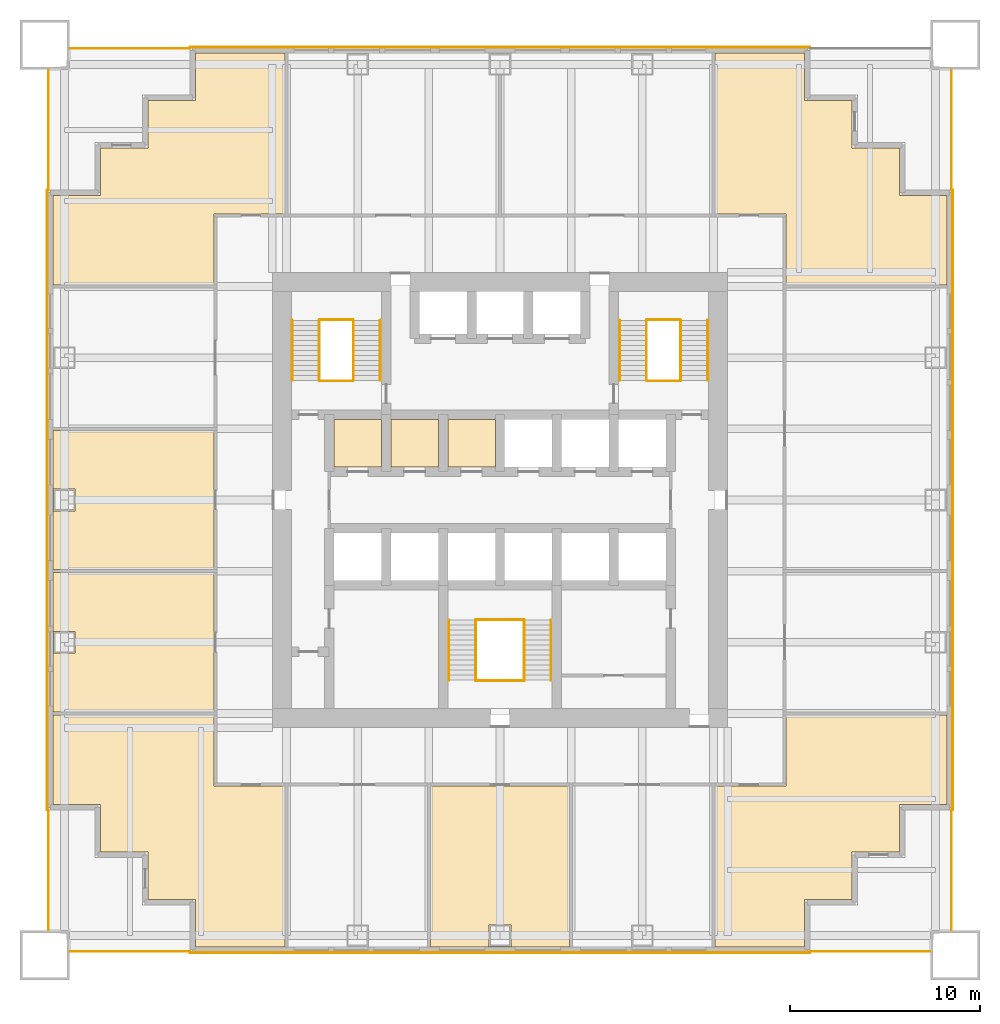
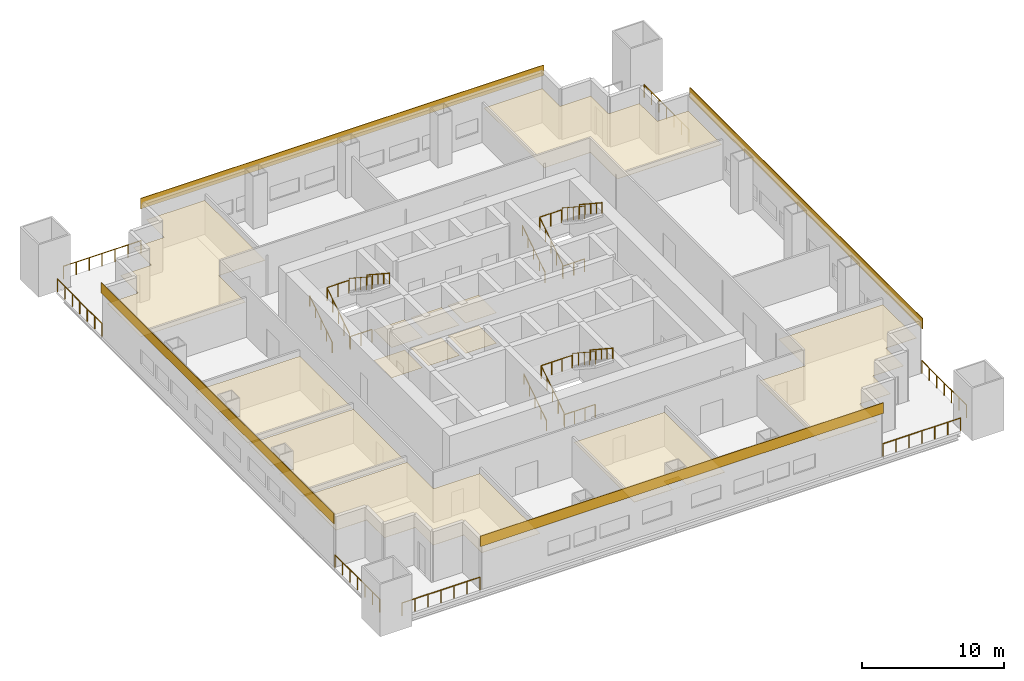
# One storey, part 6 of 7: 25 railings, 17 coverings.
"""IFC4 building model written with IfcOpenShell, lengths in metres."""

import ifcopenshell
import ifcopenshell.guid

model = None  # the IFC model being written
_history = None  # IfcOwnerHistory: only IFC2X3 demands one
_inside = {}  # id of a spatial element -> (the spatial element, [elements in it])
_under = {}  # id of a project, library or spatial element -> (it, [spatial elements below it])
_declared = {}  # id of a project -> (the project, [libraries it declares])
_typed = {}  # id of a type object -> (the type object, [elements of that type])
_made_of = {}  # id of a material, layer set ... -> (it, [elements and type objects made of it])


def new_model(schema):
    """Start an empty IFC model of exactly this schema.

    Asked for "IFC4X3", IfcOpenShell would pick the latest addendum, in which some entities
    have other attributes; the version numbers below select the first issue.
    IFC2X3 requires an IfcOwnerHistory on every rooted entity: one is made here for all.
    """
    global model, _history
    if schema == "IFC4X3":
        model = ifcopenshell.file(schema_version=(4, 3, 0, 0))
    else:
        model = ifcopenshell.file(schema=schema)
    _inside.clear()
    _under.clear()
    _declared.clear()
    _typed.clear()
    _made_of.clear()
    _history = None
    if model.schema == "IFC2X3":
        org = make("IfcOrganization", Name="unknown")
        user = make(
            "IfcPersonAndOrganization",
            ThePerson=make("IfcPerson", FamilyName="unknown"),
            TheOrganization=org,
        )
        app = make(
            "IfcApplication",
            ApplicationDeveloper=org,
            Version="unknown",
            ApplicationFullName="unknown",
            ApplicationIdentifier="unknown",
        )
        _history = make(
            "IfcOwnerHistory",
            OwningUser=user,
            OwningApplication=app,
            ChangeAction="ADDED",
            CreationDate=0,
        )
    return model


def make(cls, **values):
    """One entity of the class cls with the attributes given. An attribute that is None is left unset."""
    return model.create_entity(
        cls, **{name: value for name, value in values.items() if value is not None}
    )


def rooted(cls, **values):
    """An entity with a GlobalId (a new one), such as an element, a storey or a relation."""
    return make(cls, GlobalId=ifcopenshell.guid.new(), OwnerHistory=_history, **values)


def si_unit(unit_type, name, prefix=None):
    """IfcSIUnit, for example si_unit("LENGTHUNIT", "METRE", prefix="MILLI")."""
    return make("IfcSIUnit", UnitType=unit_type, Prefix=prefix, Name=name)


def assignment(units):
    """IfcUnitAssignment: the units of a project."""
    return None if units is None else make("IfcUnitAssignment", Units=units)


def point(xyz):
    """IfcCartesianPoint."""
    return None if xyz is None else make("IfcCartesianPoint", Coordinates=xyz)


def direction(xyz):
    """IfcDirection."""
    return None if xyz is None else make("IfcDirection", DirectionRatios=xyz)


def frame(location, z_axis=None, x_axis=None):
    """IfcAxis2Placement3D, a coordinate frame: its origin and axes. An axis left out is left unset."""
    return make(
        "IfcAxis2Placement3D",
        Location=point(location),
        Axis=direction(z_axis),
        RefDirection=direction(x_axis),
    )


def frame_2d(location, x_axis=None):
    """IfcAxis2Placement2D, a coordinate frame in the plane: its origin and x axis."""
    return make(
        "IfcAxis2Placement2D", Location=point(location), RefDirection=direction(x_axis)
    )


def origin():
    """The frame at (0, 0, 0) with its axes left unset."""
    return frame((0.0, 0.0, 0.0))


def origin_2d():
    """The frame at (0, 0) in the plane with its x axis left unset."""
    return frame_2d((0.0, 0.0))


def place(relative_to, where):
    """IfcLocalPlacement: puts the frame where relative to a parent placement (None: the world)."""
    return make(
        "IfcLocalPlacement", PlacementRelTo=relative_to, RelativePlacement=where
    )


def context(
    kind, dimensions, precision=None, world=None, true_north=None, identifier=None
):
    """IfcGeometricRepresentationContext, for example the 3D "Model" context."""
    return make(
        "IfcGeometricRepresentationContext",
        ContextIdentifier=identifier,
        ContextType=kind,
        CoordinateSpaceDimension=dimensions,
        Precision=precision,
        WorldCoordinateSystem=world,
        TrueNorth=true_north,
    )


def subcontext(parent, identifier, kind, view, scale=None):
    """IfcGeometricRepresentationSubContext, for example "Body" below "Model"."""
    return make(
        "IfcGeometricRepresentationSubContext",
        ContextIdentifier=identifier,
        ContextType=kind,
        ParentContext=parent,
        TargetScale=scale,
        TargetView=view,
    )


def project(units=None, contexts=None):
    """IfcProject with its units and contexts."""
    return rooted(
        "IfcProject",
        Name="project",
        RepresentationContexts=contexts,
        UnitsInContext=assignment(units),
    )


def spatial(cls, under=None, at=None, **own):
    """A site, building, storey or space (cls), placed at a placement, below another one or the project."""
    s = rooted(cls, ObjectPlacement=at, **own)
    if under is not None:
        _under.setdefault(under.id(), (under, []))[1].append(s)
    return s


def polyline(points):
    """IfcPolyline through the points."""
    return make("IfcPolyline", Points=[point(p) for p in points])


def profile(cls, at=None, kind="AREA", **sizes):
    """A parametric profile (cls). Its sizes go by their IFC names, for example OverallWidth=200.0."""
    return make(cls, ProfileType=kind, Position=at, **sizes)


def rectangle(**sizes):
    """IfcRectangleProfileDef."""
    return profile("IfcRectangleProfileDef", **sizes)


def circle(**sizes):
    """IfcCircleProfileDef."""
    return profile("IfcCircleProfileDef", **sizes)


def outline(outer, holes=None, kind="AREA"):
    """IfcArbitraryClosedProfileDef: a profile drawn as a closed curve; with holes, ...WithVoids."""
    if holes is None:
        return make("IfcArbitraryClosedProfileDef", ProfileType=kind, OuterCurve=outer)
    return make(
        "IfcArbitraryProfileDefWithVoids",
        ProfileType=kind,
        OuterCurve=outer,
        InnerCurves=holes,
    )


def extrude(swept, where, along, depth):
    """IfcExtrudedAreaSolid: the profile swept, set in the frame where, extruded along a direction by depth."""
    return make(
        "IfcExtrudedAreaSolid",
        SweptArea=swept,
        Position=where,
        ExtrudedDirection=direction(along),
        Depth=depth,
    )


def shape(context_of_items, identifier, shape_type, items):
    """IfcShapeRepresentation: the items that make up one representation, for example the "Body"."""
    return make(
        "IfcShapeRepresentation",
        ContextOfItems=context_of_items,
        RepresentationIdentifier=identifier,
        RepresentationType=shape_type,
        Items=items,
    )


def material(Name=None, Category=None):
    """IfcMaterial."""
    return make("IfcMaterial", Name=Name, Category=Category)


def layer(
    of_material, thickness, ventilated=None, Name=None, Category=None, Priority=None
):
    """IfcMaterialLayer: one layer of a wall or slab, of a material (None: an air gap)."""
    return make(
        "IfcMaterialLayer",
        Material=of_material,
        LayerThickness=thickness,
        IsVentilated=ventilated,
        Name=Name,
        Category=Category,
        Priority=Priority,
    )


def layer_set(layers, Name=None):
    """IfcMaterialLayerSet."""
    return make("IfcMaterialLayerSet", MaterialLayers=layers, LayerSetName=Name)


def made_of(thing, what):
    """Note that an element or type object is made of a material, layer set ...; save() writes the relation."""
    if what is not None:
        _made_of.setdefault(what.id(), (what, []))[1].append(thing)
    return thing


def type_object(cls, material=None, **own):
    """A type object (cls), such as IfcWallType, which elements share."""
    return made_of(rooted(cls, **own), material)


def element(
    cls,
    number,
    at=None,
    inside=None,
    cuts=None,
    type_object=None,
    material=None,
    context=None,
    identifier="Body",
    shape_type=None,
    held_by="IfcProductDefinitionShape",
    body=None,
    shapes=None,
    **own,
):
    """One element of the class cls, such as IfcWall. Its Tag is "e" and its number.

    at: its placement. inside: the storey or other place that contains it. cuts: it is an
    opening in that element (IfcRelVoidsElement). A single representation is given by context,
    identifier, shape_type and body (its items); several are given by shapes. held_by: the class
    of the entity that holds the representations. save() writes the other relations.
    """
    e = rooted(cls, Tag="e%d" % number, ObjectPlacement=at, **own)
    if body is not None:
        shapes = [shape(context, identifier, shape_type, body)]
    if shapes is not None:
        e.Representation = make(held_by, Representations=shapes)
    if inside is not None:
        _inside.setdefault(inside.id(), (inside, []))[1].append(e)
    if cuts is not None:
        rooted(
            "IfcRelVoidsElement", RelatingBuildingElement=cuts, RelatedOpeningElement=e
        )
    if type_object is not None:
        _typed.setdefault(type_object.id(), (type_object, []))[1].append(e)
    return made_of(e, material)


def aggregate(whole, parts):
    """IfcRelAggregates: a whole, such as a stair, and the parts it consists of."""
    return rooted("IfcRelAggregates", RelatingObject=whole, RelatedObjects=parts)


def save(model, path):
    """Write the relations noted so far, then the file.

    IfcRelAggregates (storeys below a building ...), IfcRelContainedInSpatialStructure (elements
    in a storey), IfcRelDefinesByType, IfcRelAssociatesMaterial and IfcRelDeclares: one each for
    every whole, place, type object, material and project.
    """
    for whole, parts in _under.values():
        aggregate(whole, parts)
    for where, things in _inside.values():
        rooted(
            "IfcRelContainedInSpatialStructure",
            RelatedElements=things,
            RelatingStructure=where,
        )
    for kind, things in _typed.values():
        rooted("IfcRelDefinesByType", RelatedObjects=things, RelatingType=kind)
    for what, things in _made_of.values():
        rooted("IfcRelAssociatesMaterial", RelatedObjects=things, RelatingMaterial=what)
    for by, libraries in _declared.values():
        rooted("IfcRelDeclares", RelatingContext=by, RelatedDefinitions=libraries)
    model.write(path)


model = new_model("IFC4")

# Units and contexts
model_context = context("Model", 3, precision=1e-05, world=origin(), true_north=direction((0.0, 1.0)))
body_context = subcontext(model_context, "Body", "Model", "MODEL_VIEW")
ifc_project = project(units=[si_unit("LENGTHUNIT", "METRE"), si_unit("AREAUNIT", "SQUARE_METRE"), si_unit("VOLUMEUNIT", "CUBIC_METRE"), si_unit("PLANEANGLEUNIT", "RADIAN"), si_unit("MASSUNIT", "GRAM", prefix="KILO")], contexts=[model_context])

# Site, building, storey
site_placement = place(None, origin())
site = spatial("IfcSite", under=ifc_project, at=site_placement, CompositionType="ELEMENT")
building_placement = place(site_placement, origin())
building = spatial("IfcBuilding", under=site, at=building_placement, Name="Tarangal Relay Tower", CompositionType="ELEMENT")
storey_placement = place(building_placement, frame((0.0, 0.0, 162.89990234375)))
storey = spatial("IfcBuildingStorey", under=building, at=storey_placement, Name="L33", CompositionType="ELEMENT", Elevation=162.89990234375)

# Coverings
ifc_material_1 = material(Name="Anti-static vinyl flooring", Category="plastic")
ifc_layer_1 = layer(ifc_material_1, 0.010009765625)
ifc_layer_set_1 = layer_set([ifc_layer_1], Name="Anti-static vinyl floor")
covering_type_1 = type_object("IfcCoveringType", Name="Anti-static vinyl floor", PredefinedType="FLOORING", material=ifc_layer_set_1)
covering_1_placement = place(storey_placement, origin())
element("IfcCovering", 1, at=covering_1_placement, inside=storey, type_object=covering_type_1, Name="Floor finish FL1 L33-D1", PredefinedType="FLOORING", context=body_context, shape_type="SweptSolid", body=[
    extrude(outline(polyline([(-8.75, 1.75), (-6.25, 1.75), (-6.25, 4.25), (-8.75, 4.25), (-8.75, 1.75)])), origin(), (0.0, 0.0, 1.0), 0.010009765625),
])
covering_2_placement = place(storey_placement, origin())
element("IfcCovering", 2, at=covering_2_placement, inside=storey, type_object=covering_type_1, Name="Floor finish FL1 L33-D2", PredefinedType="FLOORING", context=body_context, shape_type="SweptSolid", body=[
    extrude(outline(polyline([(-5.75, 1.75), (-3.25, 1.75), (-3.25, 4.25), (-5.75, 4.25), (-5.75, 1.75)])), origin(), (0.0, 0.0, 1.0), 0.010009765625),
])
covering_3_placement = place(storey_placement, origin())
element("IfcCovering", 3, at=covering_3_placement, inside=storey, type_object=covering_type_1, Name="Floor finish FL1 L33-D3", PredefinedType="FLOORING", context=body_context, shape_type="SweptSolid", body=[
    extrude(outline(polyline([(-2.75, 1.75), (-0.25, 1.75), (-0.25, 4.25), (-2.75, 4.25), (-2.75, 1.75)])), origin(), (0.0, 0.0, 1.0), 0.010009765625),
])
ifc_material_2 = material(Name="Black anodised aluminium cladding", Category="aluminium")
ifc_layer_2 = layer(ifc_material_2, 0.050048828125)
ifc_layer_set_2 = layer_set([ifc_layer_2], Name="Black metal spandrel band")
covering_type_2 = type_object("IfcCoveringType", Name="Black metal spandrel band", PredefinedType="CLADDING", material=ifc_layer_set_2)
for number, where, z_axis, x_axis, name in (
    (4, (0.0, 23.875, 3.750244140625), (0.0, 0.0, 1.0), (1.0, 0.0, 0.0), "Spandrel band SB1 N L33"),
    (5, (23.875, 0.0, 3.750244140625), (0.0, 0.0, 1.0), (0.0, -1.0, 0.0), "Spandrel band SB1 E L33"),
    (6, (0.0, -23.875, 3.750244140625), (0.0, 0.0, 1.0), (-1.0, 0.0, 0.0), "Spandrel band SB1 S L33"),
    (7, (-23.875, 0.0, 3.750244140625), (0.0, 0.0, 1.0), (0.0, 1.0, 0.0), "Spandrel band SB1 W L33"),
):
    element("IfcCovering", number, at=place(storey_placement, frame(where, z_axis=z_axis, x_axis=x_axis)), inside=storey, type_object=covering_type_2, Name=name, PredefinedType="CLADDING", context=body_context, shape_type="SweptSolid", body=[
        extrude(rectangle(XDim=32.699951171875, YDim=0.050048828125, at=origin_2d()), origin(), (0.0, 0.0, 1.0), 0.89990234375),
    ])

# Railings
ifc_material_3 = material(Name="Steel guard, black finish", Category="steel")
railing_type_1 = type_object("IfcRailingType", Name="Stair guard 1100", PredefinedType="GUARDRAIL", material=ifc_material_3)
railing_1_placement = place(storey_placement, frame((-9.530029296875, 6.300048828125, 0.173095703125)))
element("IfcRailing", 8, at=railing_1_placement, inside=storey, type_object=railing_type_1, Name="Stair ST-A guard GR1 L33 flight 1", PredefinedType="GUARDRAIL", context=body_context, shape_type="SweptSolid", body=[
    extrude(circle(Radius=0.02392578125, at=origin_2d()), frame((0.0, 0.0, 1.076171875), z_axis=(0.0, 0.83629911093, 0.548273469226), x_axis=(-1.0, 0.0, 0.0)), (0.0, 0.0, 1.0), 3.7880859375),
    extrude(circle(Radius=0.02099609375, at=origin_2d()), origin(), (0.0, 0.0, 1.0), 1.052001953125),
    extrude(circle(Radius=0.02099609375, at=origin_2d()), frame((0.0, 0.7919921875, 0.519287109375)), (0.0, 0.0, 1.0), 1.052001953125),
    extrude(circle(Radius=0.02099609375, at=origin_2d()), frame((0.0, 1.583984375, 1.03857421875)), (0.0, 0.0, 1.0), 1.052001953125),
    extrude(circle(Radius=0.02099609375, at=origin_2d()), frame((0.0, 2.3759765625, 1.5576171875)), (0.0, 0.0, 1.0), 1.052001953125),
    extrude(circle(Radius=0.02099609375, at=origin_2d()), frame((0.0, 3.16796875, 2.076904296875)), (0.0, 0.0, 1.0), 1.052001953125),
])
railing_2_placement = place(storey_placement, frame((-7.719970703125, 9.468017578125, 2.423095703125)))
element("IfcRailing", 9, at=railing_2_placement, inside=storey, type_object=railing_type_1, Name="Stair ST-A guard GR1 L33 flight 2", PredefinedType="GUARDRAIL", context=body_context, shape_type="SweptSolid", body=[
    extrude(circle(Radius=0.02392578125, at=origin_2d()), frame((0.0, 0.0, 1.076171875), z_axis=(0.0, -0.83629911093, 0.548273469226), x_axis=(1.0, 0.0, 0.0)), (0.0, 0.0, 1.0), 3.7880859375),
    extrude(circle(Radius=0.02099609375, at=origin_2d()), origin(), (0.0, 0.0, 1.0), 1.052001953125),
    extrude(circle(Radius=0.02099609375, at=origin_2d()), frame((0.0, -0.7919921875, 0.519287109375)), (0.0, 0.0, 1.0), 1.052001953125),
    extrude(circle(Radius=0.02099609375, at=origin_2d()), frame((0.0, -1.583984375, 1.03857421875)), (0.0, 0.0, 1.0), 1.052001953125),
    extrude(circle(Radius=0.02099609375, at=origin_2d()), frame((0.0, -2.3759765625, 1.5576171875)), (0.0, 0.0, 1.0), 1.052001953125),
    extrude(circle(Radius=0.02099609375, at=origin_2d()), frame((0.0, -3.16796875, 2.076904296875)), (0.0, 0.0, 1.0), 1.052001953125),
])
for number, where, name in (
    (10, (-9.5, 6.27001953125, 0.0), "Stair ST-A landing guard GR1 L33"),
    (11, (-9.5, 9.498046875, 2.25), "Stair ST-A landing guard GR1 L33"),
):
    element("IfcRailing", number, at=place(storey_placement, frame(where)), inside=storey, type_object=railing_type_1, Name=name, PredefinedType="GUARDRAIL", context=body_context, shape_type="SweptSolid", body=[
        extrude(circle(Radius=0.02392578125, at=origin_2d()), frame((0.0, 0.0, 1.076171875), z_axis=(1.0, 0.0, 0.0), x_axis=(0.0, 1.0, 0.0)), (0.0, 0.0, 1.0), 1.75),
        extrude(circle(Radius=0.02099609375, at=origin_2d()), origin(), (0.0, 0.0, 1.0), 1.052001953125),
        extrude(circle(Radius=0.02099609375, at=origin_2d()), frame((0.875, 0.0, 0.0)), (0.0, 0.0, 1.0), 1.052001953125),
        extrude(circle(Radius=0.02099609375, at=origin_2d()), frame((1.75, 0.0, 0.0)), (0.0, 0.0, 1.0), 1.052001953125),
    ])
railing_3_placement = place(storey_placement, frame((7.719970703125, 6.300048828125, 0.173095703125)))
element("IfcRailing", 12, at=railing_3_placement, inside=storey, type_object=railing_type_1, Name="Stair ST-B guard GR1 L33 flight 1", PredefinedType="GUARDRAIL", context=body_context, shape_type="SweptSolid", body=[
    extrude(circle(Radius=0.02392578125, at=origin_2d()), frame((0.0, 0.0, 1.076171875), z_axis=(0.0, 0.83629911093, 0.548273469226), x_axis=(-1.0, 0.0, 0.0)), (0.0, 0.0, 1.0), 3.7880859375),
    extrude(circle(Radius=0.02099609375, at=origin_2d()), origin(), (0.0, 0.0, 1.0), 1.052001953125),
    extrude(circle(Radius=0.02099609375, at=origin_2d()), frame((0.0, 0.7919921875, 0.519287109375)), (0.0, 0.0, 1.0), 1.052001953125),
    extrude(circle(Radius=0.02099609375, at=origin_2d()), frame((0.0, 1.583984375, 1.03857421875)), (0.0, 0.0, 1.0), 1.052001953125),
    extrude(circle(Radius=0.02099609375, at=origin_2d()), frame((0.0, 2.3759765625, 1.5576171875)), (0.0, 0.0, 1.0), 1.052001953125),
    extrude(circle(Radius=0.02099609375, at=origin_2d()), frame((0.0, 3.16796875, 2.076904296875)), (0.0, 0.0, 1.0), 1.052001953125),
])
railing_4_placement = place(storey_placement, frame((9.530029296875, 9.468017578125, 2.423095703125)))
element("IfcRailing", 13, at=railing_4_placement, inside=storey, type_object=railing_type_1, Name="Stair ST-B guard GR1 L33 flight 2", PredefinedType="GUARDRAIL", context=body_context, shape_type="SweptSolid", body=[
    extrude(circle(Radius=0.02392578125, at=origin_2d()), frame((0.0, 0.0, 1.076171875), z_axis=(0.0, -0.83629911093, 0.548273469226), x_axis=(1.0, 0.0, 0.0)), (0.0, 0.0, 1.0), 3.7880859375),
    extrude(circle(Radius=0.02099609375, at=origin_2d()), origin(), (0.0, 0.0, 1.0), 1.052001953125),
    extrude(circle(Radius=0.02099609375, at=origin_2d()), frame((0.0, -0.7919921875, 0.519287109375)), (0.0, 0.0, 1.0), 1.052001953125),
    extrude(circle(Radius=0.02099609375, at=origin_2d()), frame((0.0, -1.583984375, 1.03857421875)), (0.0, 0.0, 1.0), 1.052001953125),
    extrude(circle(Radius=0.02099609375, at=origin_2d()), frame((0.0, -2.3759765625, 1.5576171875)), (0.0, 0.0, 1.0), 1.052001953125),
    extrude(circle(Radius=0.02099609375, at=origin_2d()), frame((0.0, -3.16796875, 2.076904296875)), (0.0, 0.0, 1.0), 1.052001953125),
])
for number, where, name in (
    (14, (7.75, 6.27001953125, 0.0), "Stair ST-B landing guard GR1 L33"),
    (15, (7.75, 9.498046875, 2.25), "Stair ST-B landing guard GR1 L33"),
):
    element("IfcRailing", number, at=place(storey_placement, frame(where)), inside=storey, type_object=railing_type_1, Name=name, PredefinedType="GUARDRAIL", context=body_context, shape_type="SweptSolid", body=[
        extrude(circle(Radius=0.02392578125, at=origin_2d()), frame((0.0, 0.0, 1.076171875), z_axis=(1.0, 0.0, 0.0), x_axis=(0.0, 1.0, 0.0)), (0.0, 0.0, 1.0), 1.75),
        extrude(circle(Radius=0.02099609375, at=origin_2d()), origin(), (0.0, 0.0, 1.0), 1.052001953125),
        extrude(circle(Radius=0.02099609375, at=origin_2d()), frame((0.875, 0.0, 0.0)), (0.0, 0.0, 1.0), 1.052001953125),
        extrude(circle(Radius=0.02099609375, at=origin_2d()), frame((1.75, 0.0, 0.0)), (0.0, 0.0, 1.0), 1.052001953125),
    ])
railing_5_placement = place(storey_placement, frame((-1.280029296875, -9.5, 0.173095703125)))
element("IfcRailing", 16, at=railing_5_placement, inside=storey, type_object=railing_type_1, Name="Stair ST-C guard GR1 L33 flight 1", PredefinedType="GUARDRAIL", context=body_context, shape_type="SweptSolid", body=[
    extrude(circle(Radius=0.02392578125, at=origin_2d()), frame((0.0, 0.0, 1.076171875), z_axis=(0.0, 0.83629911093, 0.548273469226), x_axis=(-1.0, 0.0, 0.0)), (0.0, 0.0, 1.0), 3.7880859375),
    extrude(circle(Radius=0.02099609375, at=origin_2d()), origin(), (0.0, 0.0, 1.0), 1.052001953125),
    extrude(circle(Radius=0.02099609375, at=origin_2d()), frame((0.0, 0.7919921875, 0.519287109375)), (0.0, 0.0, 1.0), 1.052001953125),
    extrude(circle(Radius=0.02099609375, at=origin_2d()), frame((0.0, 1.583984375, 1.03857421875)), (0.0, 0.0, 1.0), 1.052001953125),
    extrude(circle(Radius=0.02099609375, at=origin_2d()), frame((0.0, 2.3759765625, 1.5576171875)), (0.0, 0.0, 1.0), 1.052001953125),
    extrude(circle(Radius=0.02099609375, at=origin_2d()), frame((0.0, 3.16796875, 2.076904296875)), (0.0, 0.0, 1.0), 1.052001953125),
])
railing_6_placement = place(storey_placement, frame((1.280029296875, -6.33203125, 2.423095703125)))
element("IfcRailing", 17, at=railing_6_placement, inside=storey, type_object=railing_type_1, Name="Stair ST-C guard GR1 L33 flight 2", PredefinedType="GUARDRAIL", context=body_context, shape_type="SweptSolid", body=[
    extrude(circle(Radius=0.02392578125, at=origin_2d()), frame((0.0, 0.0, 1.076171875), z_axis=(0.0, -0.83629911093, 0.548273469226), x_axis=(1.0, 0.0, 0.0)), (0.0, 0.0, 1.0), 3.7880859375),
    extrude(circle(Radius=0.02099609375, at=origin_2d()), origin(), (0.0, 0.0, 1.0), 1.052001953125),
    extrude(circle(Radius=0.02099609375, at=origin_2d()), frame((0.0, -0.7919921875, 0.519287109375)), (0.0, 0.0, 1.0), 1.052001953125),
    extrude(circle(Radius=0.02099609375, at=origin_2d()), frame((0.0, -1.583984375, 1.03857421875)), (0.0, 0.0, 1.0), 1.052001953125),
    extrude(circle(Radius=0.02099609375, at=origin_2d()), frame((0.0, -2.3759765625, 1.5576171875)), (0.0, 0.0, 1.0), 1.052001953125),
    extrude(circle(Radius=0.02099609375, at=origin_2d()), frame((0.0, -3.16796875, 2.076904296875)), (0.0, 0.0, 1.0), 1.052001953125),
])
for number, where, name in (
    (18, (-1.25, -9.530029296875, 0.0), "Stair ST-C landing guard GR1 L33"),
    (19, (-1.25, -6.302001953125, 2.25), "Stair ST-C landing guard GR1 L33"),
):
    element("IfcRailing", number, at=place(storey_placement, frame(where)), inside=storey, type_object=railing_type_1, Name=name, PredefinedType="GUARDRAIL", context=body_context, shape_type="SweptSolid", body=[
        extrude(circle(Radius=0.02392578125, at=origin_2d()), frame((0.0, 0.0, 1.076171875), z_axis=(1.0, 0.0, 0.0), x_axis=(0.0, 1.0, 0.0)), (0.0, 0.0, 1.0), 2.5),
        extrude(circle(Radius=0.02099609375, at=origin_2d()), origin(), (0.0, 0.0, 1.0), 1.052001953125),
        extrude(circle(Radius=0.02099609375, at=origin_2d()), frame((0.833251953125, 0.0, 0.0)), (0.0, 0.0, 1.0), 1.052001953125),
        extrude(circle(Radius=0.02099609375, at=origin_2d()), frame((1.666748046875, 0.0, 0.0)), (0.0, 0.0, 1.0), 1.052001953125),
        extrude(circle(Radius=0.02099609375, at=origin_2d()), frame((2.5, 0.0, 0.0)), (0.0, 0.0, 1.0), 1.052001953125),
    ])
ifc_material_4 = material(Name="Steel handrail, black finish", Category="steel")
railing_type_2 = type_object("IfcRailingType", Name="Stair handrail 900", PredefinedType="HANDRAIL", material=ifc_material_4)
railing_7_placement = place(storey_placement, frame((-10.93994140625, 6.300048828125, 0.173095703125)))
element("IfcRailing", 20, at=railing_7_placement, inside=storey, type_object=railing_type_2, Name="Stair ST-A handrail HR1 L33 flight 1", PredefinedType="HANDRAIL", context=body_context, shape_type="SweptSolid", body=[
    extrude(circle(Radius=0.02392578125, at=origin_2d()), frame((0.0, 0.0, 0.8759765625), z_axis=(0.0, 0.83629911093, 0.548273469226), x_axis=(-1.0, 0.0, 0.0)), (0.0, 0.0, 1.0), 3.7880859375),
    extrude(circle(Radius=0.02099609375, at=origin_2d()), origin(), (0.0, 0.0, 1.0), 0.851806640625),
    extrude(circle(Radius=0.02099609375, at=origin_2d()), frame((0.0, 0.7919921875, 0.519287109375)), (0.0, 0.0, 1.0), 0.851806640625),
    extrude(circle(Radius=0.02099609375, at=origin_2d()), frame((0.0, 1.583984375, 1.03857421875)), (0.0, 0.0, 1.0), 0.851806640625),
    extrude(circle(Radius=0.02099609375, at=origin_2d()), frame((0.0, 2.3759765625, 1.5576171875)), (0.0, 0.0, 1.0), 0.851806640625),
    extrude(circle(Radius=0.02099609375, at=origin_2d()), frame((0.0, 3.16796875, 2.076904296875)), (0.0, 0.0, 1.0), 0.851806640625),
])
railing_8_placement = place(storey_placement, frame((-6.31005859375, 9.468017578125, 2.423095703125)))
element("IfcRailing", 21, at=railing_8_placement, inside=storey, type_object=railing_type_2, Name="Stair ST-A handrail HR1 L33 flight 2", PredefinedType="HANDRAIL", context=body_context, shape_type="SweptSolid", body=[
    extrude(circle(Radius=0.02392578125, at=origin_2d()), frame((0.0, 0.0, 0.8759765625), z_axis=(0.0, -0.83629911093, 0.548273469226), x_axis=(1.0, 0.0, 0.0)), (0.0, 0.0, 1.0), 3.7880859375),
    extrude(circle(Radius=0.02099609375, at=origin_2d()), origin(), (0.0, 0.0, 1.0), 0.851806640625),
    extrude(circle(Radius=0.02099609375, at=origin_2d()), frame((0.0, -0.7919921875, 0.519287109375)), (0.0, 0.0, 1.0), 0.851806640625),
    extrude(circle(Radius=0.02099609375, at=origin_2d()), frame((0.0, -1.583984375, 1.03857421875)), (0.0, 0.0, 1.0), 0.851806640625),
    extrude(circle(Radius=0.02099609375, at=origin_2d()), frame((0.0, -2.3759765625, 1.5576171875)), (0.0, 0.0, 1.0), 0.851806640625),
    extrude(circle(Radius=0.02099609375, at=origin_2d()), frame((0.0, -3.16796875, 2.076904296875)), (0.0, 0.0, 1.0), 0.851806640625),
])
railing_9_placement = place(storey_placement, frame((6.31005859375, 6.300048828125, 0.173095703125)))
element("IfcRailing", 22, at=railing_9_placement, inside=storey, type_object=railing_type_2, Name="Stair ST-B handrail HR1 L33 flight 1", PredefinedType="HANDRAIL", context=body_context, shape_type="SweptSolid", body=[
    extrude(circle(Radius=0.02392578125, at=origin_2d()), frame((0.0, 0.0, 0.8759765625), z_axis=(0.0, 0.83629911093, 0.548273469226), x_axis=(-1.0, 0.0, 0.0)), (0.0, 0.0, 1.0), 3.7880859375),
    extrude(circle(Radius=0.02099609375, at=origin_2d()), origin(), (0.0, 0.0, 1.0), 0.851806640625),
    extrude(circle(Radius=0.02099609375, at=origin_2d()), frame((0.0, 0.7919921875, 0.519287109375)), (0.0, 0.0, 1.0), 0.851806640625),
    extrude(circle(Radius=0.02099609375, at=origin_2d()), frame((0.0, 1.583984375, 1.03857421875)), (0.0, 0.0, 1.0), 0.851806640625),
    extrude(circle(Radius=0.02099609375, at=origin_2d()), frame((0.0, 2.3759765625, 1.5576171875)), (0.0, 0.0, 1.0), 0.851806640625),
    extrude(circle(Radius=0.02099609375, at=origin_2d()), frame((0.0, 3.16796875, 2.076904296875)), (0.0, 0.0, 1.0), 0.851806640625),
])
railing_10_placement = place(storey_placement, frame((10.93994140625, 9.468017578125, 2.423095703125)))
element("IfcRailing", 23, at=railing_10_placement, inside=storey, type_object=railing_type_2, Name="Stair ST-B handrail HR1 L33 flight 2", PredefinedType="HANDRAIL", context=body_context, shape_type="SweptSolid", body=[
    extrude(circle(Radius=0.02392578125, at=origin_2d()), frame((0.0, 0.0, 0.8759765625), z_axis=(0.0, -0.83629911093, 0.548273469226), x_axis=(1.0, 0.0, 0.0)), (0.0, 0.0, 1.0), 3.7880859375),
    extrude(circle(Radius=0.02099609375, at=origin_2d()), origin(), (0.0, 0.0, 1.0), 0.851806640625),
    extrude(circle(Radius=0.02099609375, at=origin_2d()), frame((0.0, -0.7919921875, 0.519287109375)), (0.0, 0.0, 1.0), 0.851806640625),
    extrude(circle(Radius=0.02099609375, at=origin_2d()), frame((0.0, -1.583984375, 1.03857421875)), (0.0, 0.0, 1.0), 0.851806640625),
    extrude(circle(Radius=0.02099609375, at=origin_2d()), frame((0.0, -2.3759765625, 1.5576171875)), (0.0, 0.0, 1.0), 0.851806640625),
    extrude(circle(Radius=0.02099609375, at=origin_2d()), frame((0.0, -3.16796875, 2.076904296875)), (0.0, 0.0, 1.0), 0.851806640625),
])
railing_11_placement = place(storey_placement, frame((-2.68994140625, -9.5, 0.173095703125)))
element("IfcRailing", 24, at=railing_11_placement, inside=storey, type_object=railing_type_2, Name="Stair ST-C handrail HR1 L33 flight 1", PredefinedType="HANDRAIL", context=body_context, shape_type="SweptSolid", body=[
    extrude(circle(Radius=0.02392578125, at=origin_2d()), frame((0.0, 0.0, 0.8759765625), z_axis=(0.0, 0.83629911093, 0.548273469226), x_axis=(-1.0, 0.0, 0.0)), (0.0, 0.0, 1.0), 3.7880859375),
    extrude(circle(Radius=0.02099609375, at=origin_2d()), origin(), (0.0, 0.0, 1.0), 0.851806640625),
    extrude(circle(Radius=0.02099609375, at=origin_2d()), frame((0.0, 0.7919921875, 0.519287109375)), (0.0, 0.0, 1.0), 0.851806640625),
    extrude(circle(Radius=0.02099609375, at=origin_2d()), frame((0.0, 1.583984375, 1.03857421875)), (0.0, 0.0, 1.0), 0.851806640625),
    extrude(circle(Radius=0.02099609375, at=origin_2d()), frame((0.0, 2.3759765625, 1.5576171875)), (0.0, 0.0, 1.0), 0.851806640625),
    extrude(circle(Radius=0.02099609375, at=origin_2d()), frame((0.0, 3.16796875, 2.076904296875)), (0.0, 0.0, 1.0), 0.851806640625),
])
railing_12_placement = place(storey_placement, frame((2.68994140625, -6.33203125, 2.423095703125)))
element("IfcRailing", 25, at=railing_12_placement, inside=storey, type_object=railing_type_2, Name="Stair ST-C handrail HR1 L33 flight 2", PredefinedType="HANDRAIL", context=body_context, shape_type="SweptSolid", body=[
    extrude(circle(Radius=0.02392578125, at=origin_2d()), frame((0.0, 0.0, 0.8759765625), z_axis=(0.0, -0.83629911093, 0.548273469226), x_axis=(1.0, 0.0, 0.0)), (0.0, 0.0, 1.0), 3.7880859375),
    extrude(circle(Radius=0.02099609375, at=origin_2d()), origin(), (0.0, 0.0, 1.0), 0.851806640625),
    extrude(circle(Radius=0.02099609375, at=origin_2d()), frame((0.0, -0.7919921875, 0.519287109375)), (0.0, 0.0, 1.0), 0.851806640625),
    extrude(circle(Radius=0.02099609375, at=origin_2d()), frame((0.0, -1.583984375, 1.03857421875)), (0.0, 0.0, 1.0), 0.851806640625),
    extrude(circle(Radius=0.02099609375, at=origin_2d()), frame((0.0, -2.3759765625, 1.5576171875)), (0.0, 0.0, 1.0), 0.851806640625),
    extrude(circle(Radius=0.02099609375, at=origin_2d()), frame((0.0, -3.16796875, 2.076904296875)), (0.0, 0.0, 1.0), 0.851806640625),
])

# Coverings
ifc_material_5 = material(Name="Mineral fibre ceiling tiles", Category="gypsum")
ifc_layer_3 = layer(ifc_material_5, 0.02001953125)
ifc_layer_set_3 = layer_set([ifc_layer_3], Name="Suspended ceiling")
covering_type_3 = type_object("IfcCoveringType", Name="Suspended ceiling", PredefinedType="CEILING", material=ifc_layer_set_3)
covering_4_placement = place(storey_placement, frame((0.0, 0.0, 2.60009765625)))
element("IfcCovering", 26, at=covering_4_placement, inside=storey, type_object=covering_type_3, Name="Suspended ceiling CL1 L33-D1", PredefinedType="CEILING", context=body_context, shape_type="SweptSolid", body=[
    extrude(outline(polyline([(-8.75, 1.75), (-6.25, 1.75), (-6.25, 4.25), (-8.75, 4.25), (-8.75, 1.75)])), origin(), (0.0, 0.0, 1.0), 0.02001953125),
])
covering_5_placement = place(storey_placement, frame((0.0, 0.0, 2.60009765625)))
element("IfcCovering", 27, at=covering_5_placement, inside=storey, type_object=covering_type_3, Name="Suspended ceiling CL1 L33-D2", PredefinedType="CEILING", context=body_context, shape_type="SweptSolid", body=[
    extrude(outline(polyline([(-5.75, 1.75), (-3.25, 1.75), (-3.25, 4.25), (-5.75, 4.25), (-5.75, 1.75)])), origin(), (0.0, 0.0, 1.0), 0.02001953125),
])
covering_6_placement = place(storey_placement, frame((0.0, 0.0, 2.60009765625)))
element("IfcCovering", 28, at=covering_6_placement, inside=storey, type_object=covering_type_3, Name="Suspended ceiling CL1 L33-D3", PredefinedType="CEILING", context=body_context, shape_type="SweptSolid", body=[
    extrude(outline(polyline([(-2.75, 1.75), (-0.25, 1.75), (-0.25, 4.25), (-2.75, 4.25), (-2.75, 1.75)])), origin(), (0.0, 0.0, 1.0), 0.02001953125),
])
covering_7_placement = place(storey_placement, frame((0.0, 0.0, 2.900146484375)))
element("IfcCovering", 29, at=covering_7_placement, inside=storey, type_object=covering_type_3, Name="Suspended ceiling CL1 L33-07", PredefinedType="CEILING", context=body_context, shape_type="SweptSolid", body=[
    extrude(outline(polyline([(-3.675048828125, -23.550048828125), (3.675048828125, -23.550048828125), (3.675048828125, -15.074951171875), (-3.675048828125, -15.074951171875), (-3.675048828125, -23.550048828125)]), holes=[polyline([(0.574951171875, -22.389892578125), (-0.574951171875, -22.389892578125), (-0.574951171875, -23.5400390625), (0.574951171875, -23.5400390625), (0.574951171875, -22.389892578125)])]), origin(), (0.0, 0.0, 1.0), 0.02001953125),
])
covering_8_placement = place(storey_placement, frame((0.0, 0.0, 2.900146484375)))
element("IfcCovering", 30, at=covering_8_placement, inside=storey, type_object=covering_type_3, Name="Suspended ceiling CL1 L33-09", PredefinedType="CEILING", context=body_context, shape_type="SweptSolid", body=[
    extrude(outline(polyline([(-23.550048828125, -3.824951171875), (-23.550048828125, -11.175048828125), (-15.074951171875, -11.175048828125), (-15.074951171875, -3.824951171875), (-23.550048828125, -3.824951171875)]), holes=[polyline([(-22.389892578125, -6.925048828125), (-23.5400390625, -6.925048828125), (-23.5400390625, -8.074951171875), (-22.389892578125, -8.074951171875), (-22.389892578125, -6.925048828125)])]), origin(), (0.0, 0.0, 1.0), 0.02001953125),
])
covering_9_placement = place(storey_placement, frame((0.0, 0.0, 2.900146484375)))
element("IfcCovering", 31, at=covering_9_placement, inside=storey, type_object=covering_type_3, Name="Suspended ceiling CL1 L33-10", PredefinedType="CEILING", context=body_context, shape_type="SweptSolid", body=[
    extrude(outline(polyline([(-23.550048828125, 3.675048828125), (-23.550048828125, -3.675048828125), (-15.074951171875, -3.675048828125), (-15.074951171875, 3.675048828125), (-23.550048828125, 3.675048828125)]), holes=[polyline([(-22.389892578125, 0.574951171875), (-23.5400390625, 0.574951171875), (-23.5400390625, -0.574951171875), (-22.389892578125, -0.574951171875), (-22.389892578125, 0.574951171875)])]), origin(), (0.0, 0.0, 1.0), 0.02001953125),
])
covering_10_placement = place(storey_placement, frame((0.0, 0.0, 2.900146484375)))
element("IfcCovering", 32, at=covering_10_placement, inside=storey, type_object=covering_type_3, Name="Suspended ceiling CL1 L33-12", PredefinedType="CEILING", context=body_context, shape_type="SweptSolid", body=[
    extrude(outline(polyline([(16.050048828125, 23.550048828125), (11.324951171875, 23.550048828125), (11.324951171875, 15.074951171875), (15.074951171875, 15.074951171875), (15.074951171875, 11.324951171875), (23.550048828125, 11.324951171875), (23.550048828125, 16.050048828125), (21.050048828125, 16.050048828125), (21.050048828125, 18.550048828125), (18.550048828125, 18.550048828125), (18.550048828125, 21.050048828125), (16.050048828125, 21.050048828125), (16.050048828125, 23.550048828125)])), origin(), (0.0, 0.0, 1.0), 0.02001953125),
])
covering_11_placement = place(storey_placement, frame((0.0, 0.0, 2.900146484375)))
element("IfcCovering", 33, at=covering_11_placement, inside=storey, type_object=covering_type_3, Name="Suspended ceiling CL1 L33-13", PredefinedType="CEILING", context=body_context, shape_type="SweptSolid", body=[
    extrude(outline(polyline([(23.550048828125, -16.050048828125), (23.550048828125, -11.324951171875), (15.074951171875, -11.324951171875), (15.074951171875, -15.074951171875), (11.324951171875, -15.074951171875), (11.324951171875, -23.550048828125), (16.050048828125, -23.550048828125), (16.050048828125, -21.050048828125), (18.550048828125, -21.050048828125), (18.550048828125, -18.550048828125), (21.050048828125, -18.550048828125), (21.050048828125, -16.050048828125), (23.550048828125, -16.050048828125)])), origin(), (0.0, 0.0, 1.0), 0.02001953125),
])
covering_12_placement = place(storey_placement, frame((0.0, 0.0, 2.900146484375)))
element("IfcCovering", 34, at=covering_12_placement, inside=storey, type_object=covering_type_3, Name="Suspended ceiling CL1 L33-14", PredefinedType="CEILING", context=body_context, shape_type="SweptSolid", body=[
    extrude(outline(polyline([(-16.050048828125, -21.050048828125), (-16.050048828125, -23.550048828125), (-11.324951171875, -23.550048828125), (-11.324951171875, -15.074951171875), (-15.074951171875, -15.074951171875), (-15.074951171875, -11.324951171875), (-23.550048828125, -11.324951171875), (-23.550048828125, -16.050048828125), (-21.050048828125, -16.050048828125), (-21.050048828125, -18.550048828125), (-18.550048828125, -18.550048828125), (-18.550048828125, -21.050048828125), (-16.050048828125, -21.050048828125)])), origin(), (0.0, 0.0, 1.0), 0.02001953125),
])
covering_13_placement = place(storey_placement, frame((0.0, 0.0, 2.900146484375)))
element("IfcCovering", 35, at=covering_13_placement, inside=storey, type_object=covering_type_3, Name="Suspended ceiling CL1 L33-15", PredefinedType="CEILING", context=body_context, shape_type="SweptSolid", body=[
    extrude(outline(polyline([(-21.050048828125, 16.050048828125), (-23.550048828125, 16.050048828125), (-23.550048828125, 11.324951171875), (-15.074951171875, 11.324951171875), (-15.074951171875, 15.074951171875), (-11.324951171875, 15.074951171875), (-11.324951171875, 23.550048828125), (-16.050048828125, 23.550048828125), (-16.050048828125, 21.050048828125), (-18.550048828125, 21.050048828125), (-18.550048828125, 18.550048828125), (-21.050048828125, 18.550048828125), (-21.050048828125, 16.050048828125)])), origin(), (0.0, 0.0, 1.0), 0.02001953125),
])

# Railings
ifc_material_6 = material(Name="Black steel guard with glass infill", Category="steel")
railing_type_3 = type_object("IfcRailingType", Name="Terrace guard 1100", PredefinedType="GUARDRAIL", material=ifc_material_6)
for number, where, name in (
    (36, (23.800048828125, 22.64990234375, 0.0), "Terrace guard GR2 NE L33"),
    (37, (23.800048828125, -16.35009765625, 0.0), "Terrace guard GR2 SE L33"),
):
    element("IfcRailing", number, at=place(storey_placement, frame(where)), inside=storey, type_object=railing_type_3, Name=name, PredefinedType="GUARDRAIL", context=body_context, shape_type="SweptSolid", body=[
        extrude(circle(Radius=0.02392578125, at=origin_2d()), frame((0.0, 0.0, 1.076171875), z_axis=(0.0, -1.0, 0.0), x_axis=(1.0, 0.0, 0.0)), (0.0, 0.0, 1.0), 6.2998046875),
        extrude(circle(Radius=0.02099609375, at=origin_2d()), origin(), (0.0, 0.0, 1.0), 1.052001953125),
        extrude(circle(Radius=0.02099609375, at=origin_2d()), frame((0.0, -1.050048828125, 0.0)), (0.0, 0.0, 1.0), 1.052001953125),
        extrude(circle(Radius=0.02099609375, at=origin_2d()), frame((0.0, -2.099853515625, 0.0)), (0.0, 0.0, 1.0), 1.052001953125),
        extrude(circle(Radius=0.02099609375, at=origin_2d()), frame((0.0, -3.14990234375, 0.0)), (0.0, 0.0, 1.0), 1.052001953125),
        extrude(circle(Radius=0.02099609375, at=origin_2d()), frame((0.0, -4.199951171875, 0.0)), (0.0, 0.0, 1.0), 1.052001953125),
        extrude(circle(Radius=0.02099609375, at=origin_2d()), frame((0.0, -5.249755859375, 0.0)), (0.0, 0.0, 1.0), 1.052001953125),
        extrude(circle(Radius=0.02099609375, at=origin_2d()), frame((0.0, -6.2998046875, 0.0)), (0.0, 0.0, 1.0), 1.052001953125),
    ])
for number, where, name in (
    (38, (22.64990234375, -23.800048828125, 0.0), "Terrace guard GR2 SE L33"),
    (39, (-16.35009765625, -23.800048828125, 0.0), "Terrace guard GR2 SW L33"),
):
    element("IfcRailing", number, at=place(storey_placement, frame(where)), inside=storey, type_object=railing_type_3, Name=name, PredefinedType="GUARDRAIL", context=body_context, shape_type="SweptSolid", body=[
        extrude(circle(Radius=0.02392578125, at=origin_2d()), frame((0.0, 0.0, 1.076171875), z_axis=(-1.0, 0.0, 0.0), x_axis=(0.0, -1.0, 0.0)), (0.0, 0.0, 1.0), 6.2998046875),
        extrude(circle(Radius=0.02099609375, at=origin_2d()), origin(), (0.0, 0.0, 1.0), 1.052001953125),
        extrude(circle(Radius=0.02099609375, at=origin_2d()), frame((-1.050048828125, 0.0, 0.0)), (0.0, 0.0, 1.0), 1.052001953125),
        extrude(circle(Radius=0.02099609375, at=origin_2d()), frame((-2.099853515625, 0.0, 0.0)), (0.0, 0.0, 1.0), 1.052001953125),
        extrude(circle(Radius=0.02099609375, at=origin_2d()), frame((-3.14990234375, 0.0, 0.0)), (0.0, 0.0, 1.0), 1.052001953125),
        extrude(circle(Radius=0.02099609375, at=origin_2d()), frame((-4.199951171875, 0.0, 0.0)), (0.0, 0.0, 1.0), 1.052001953125),
        extrude(circle(Radius=0.02099609375, at=origin_2d()), frame((-5.249755859375, 0.0, 0.0)), (0.0, 0.0, 1.0), 1.052001953125),
        extrude(circle(Radius=0.02099609375, at=origin_2d()), frame((-6.2998046875, 0.0, 0.0)), (0.0, 0.0, 1.0), 1.052001953125),
    ])
for number, where, name in (
    (40, (-23.800048828125, -22.64990234375, 0.0), "Terrace guard GR2 SW L33"),
    (41, (-23.800048828125, 16.35009765625, 0.0), "Terrace guard GR2 NW L33"),
):
    element("IfcRailing", number, at=place(storey_placement, frame(where)), inside=storey, type_object=railing_type_3, Name=name, PredefinedType="GUARDRAIL", context=body_context, shape_type="SweptSolid", body=[
        extrude(circle(Radius=0.02392578125, at=origin_2d()), frame((0.0, 0.0, 1.076171875), z_axis=(0.0, 1.0, 0.0), x_axis=(-1.0, 0.0, 0.0)), (0.0, 0.0, 1.0), 6.2998046875),
        extrude(circle(Radius=0.02099609375, at=origin_2d()), origin(), (0.0, 0.0, 1.0), 1.052001953125),
        extrude(circle(Radius=0.02099609375, at=origin_2d()), frame((0.0, 1.050048828125, 0.0)), (0.0, 0.0, 1.0), 1.052001953125),
        extrude(circle(Radius=0.02099609375, at=origin_2d()), frame((0.0, 2.099853515625, 0.0)), (0.0, 0.0, 1.0), 1.052001953125),
        extrude(circle(Radius=0.02099609375, at=origin_2d()), frame((0.0, 3.14990234375, 0.0)), (0.0, 0.0, 1.0), 1.052001953125),
        extrude(circle(Radius=0.02099609375, at=origin_2d()), frame((0.0, 4.199951171875, 0.0)), (0.0, 0.0, 1.0), 1.052001953125),
        extrude(circle(Radius=0.02099609375, at=origin_2d()), frame((0.0, 5.249755859375, 0.0)), (0.0, 0.0, 1.0), 1.052001953125),
        extrude(circle(Radius=0.02099609375, at=origin_2d()), frame((0.0, 6.2998046875, 0.0)), (0.0, 0.0, 1.0), 1.052001953125),
    ])
railing_13_placement = place(storey_placement, frame((-22.64990234375, 23.800048828125, 0.0)))
element("IfcRailing", 42, at=railing_13_placement, inside=storey, type_object=railing_type_3, Name="Terrace guard GR2 NW L33", PredefinedType="GUARDRAIL", context=body_context, shape_type="SweptSolid", body=[
    extrude(circle(Radius=0.02392578125, at=origin_2d()), frame((0.0, 0.0, 1.076171875), z_axis=(1.0, 0.0, 0.0), x_axis=(0.0, 1.0, 0.0)), (0.0, 0.0, 1.0), 6.2998046875),
    extrude(circle(Radius=0.02099609375, at=origin_2d()), origin(), (0.0, 0.0, 1.0), 1.052001953125),
    extrude(circle(Radius=0.02099609375, at=origin_2d()), frame((1.050048828125, 0.0, 0.0)), (0.0, 0.0, 1.0), 1.052001953125),
    extrude(circle(Radius=0.02099609375, at=origin_2d()), frame((2.099853515625, 0.0, 0.0)), (0.0, 0.0, 1.0), 1.052001953125),
    extrude(circle(Radius=0.02099609375, at=origin_2d()), frame((3.14990234375, 0.0, 0.0)), (0.0, 0.0, 1.0), 1.052001953125),
    extrude(circle(Radius=0.02099609375, at=origin_2d()), frame((4.199951171875, 0.0, 0.0)), (0.0, 0.0, 1.0), 1.052001953125),
    extrude(circle(Radius=0.02099609375, at=origin_2d()), frame((5.249755859375, 0.0, 0.0)), (0.0, 0.0, 1.0), 1.052001953125),
    extrude(circle(Radius=0.02099609375, at=origin_2d()), frame((6.2998046875, 0.0, 0.0)), (0.0, 0.0, 1.0), 1.052001953125),
])

save(model, "model.ifc")
